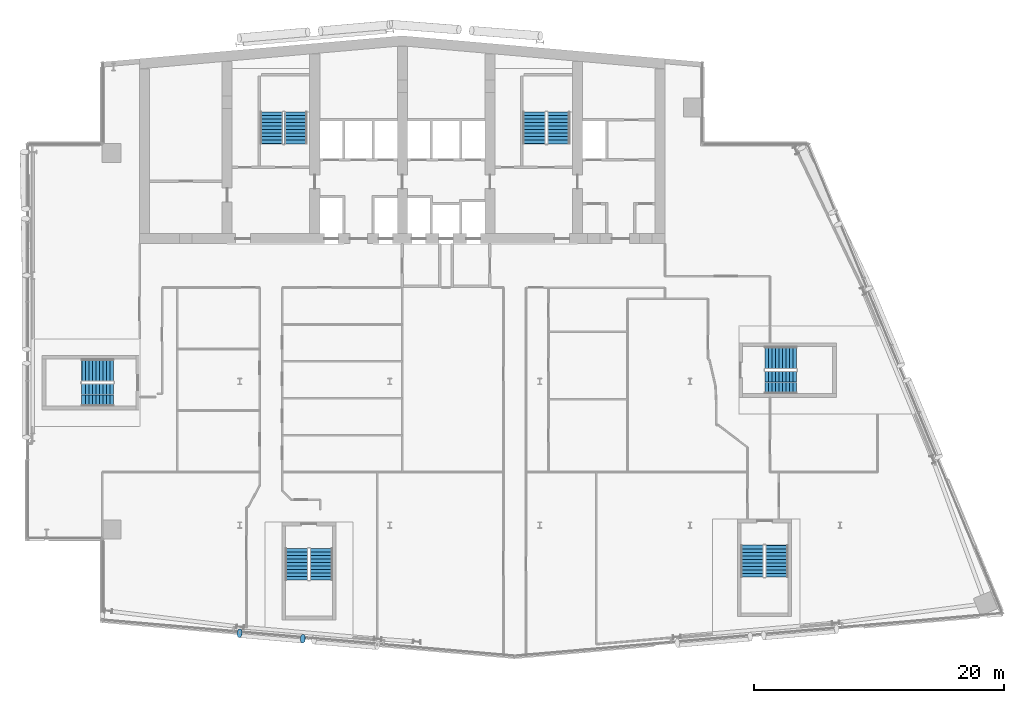
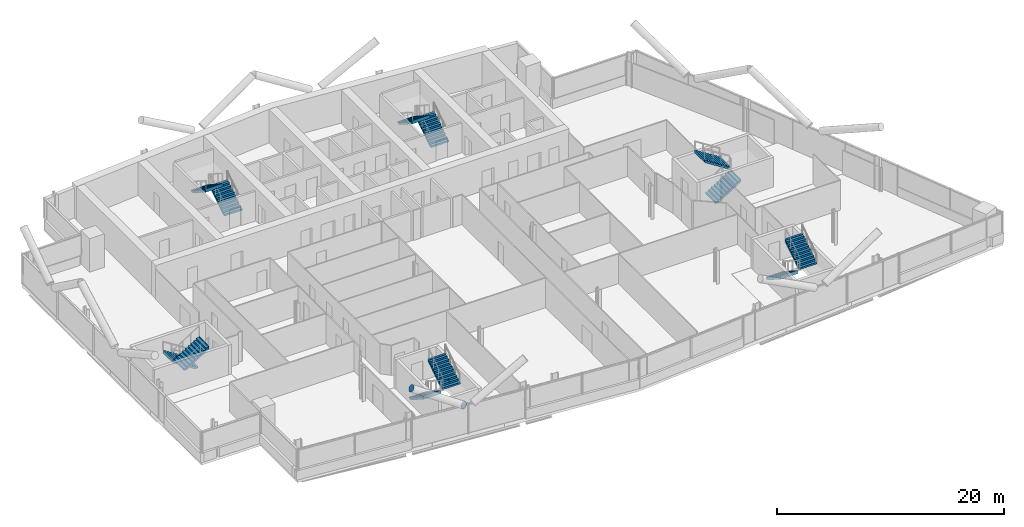
# One storey, part 19 of 26: 12 stair flights, 2 discrete accessories, 6 elements without a shape of their own.
"""IFC4 building model written with IfcOpenShell, lengths in metres."""

from ifc_helpers import new_model, si_unit, direction, frame, origin, origin_2d, place, context, subcontext, project, spatial, polyline, circle, outline, extrude, material, material_profile, profile_set, type_object, element, aggregate, save


model = new_model("IFC4")

# Units and contexts
model_context = context("Model", 3, precision=1e-05, world=origin(), true_north=direction((0.0, 1.0)))
body_context = subcontext(model_context, "Body", "Model", "MODEL_VIEW")
ifc_project = project(units=[si_unit("LENGTHUNIT", "METRE"), si_unit("AREAUNIT", "SQUARE_METRE"), si_unit("VOLUMEUNIT", "CUBIC_METRE"), si_unit("PLANEANGLEUNIT", "RADIAN"), si_unit("MASSUNIT", "GRAM", prefix="KILO")], contexts=[model_context])

# Site, building, storey
site_placement = place(None, origin())
site = spatial("IfcSite", under=ifc_project, at=site_placement, CompositionType="ELEMENT")
building_placement = place(site_placement, origin())
building = spatial("IfcBuilding", under=site, at=building_placement, Name="Wharfspan Tower", CompositionType="ELEMENT")
storey_placement = place(building_placement, frame((0.0, 0.0, 166.300049)))
storey = spatial("IfcBuildingStorey", under=building, at=storey_placement, Name="L40", CompositionType="ELEMENT", Elevation=166.300049)

# Stair, stair flights
ifc_material_1 = material(Name="Concrete C40/50", Category="concrete")
stair_type = type_object("IfcStairType", Name="Half-turn stair 20 risers 180 mm", PredefinedType="HALF_TURN_STAIR", material=ifc_material_1)
stair_1_placement = place(storey_placement, origin())
stair_1 = element("IfcStair", 1, at=stair_1_placement, inside=storey, type_object=stair_type, Name="L40 stair ST1", PredefinedType="HALF_TURN_STAIR")
stair_flight_type = type_object("IfcStairFlightType", Name="Stair flight 20 risers 180 mm", PredefinedType="STRAIGHT", material=ifc_material_1)
stair_flight_1_placement = place(storey_placement, frame((28.5, 42.0, 0.0), z_axis=(0.0, 0.0, 1.0), x_axis=(0.0, 1.0, 0.0)))
stair_flight_1 = element("IfcStairFlight", 2, at=stair_flight_1_placement, type_object=stair_flight_type, Name="ST1 flight 1", NumberOfRisers=10, NumberOfTreads=9, PredefinedType="STRAIGHT", RiserHeight=0.18, TreadLength=0.28, context=body_context, shape_type="SweptSolid", body=[
    extrude(outline(polyline([(-0.011963, 0.0), (-0.011963, 0.179932), (0.0, 0.179932), (0.280029, 0.179932), (0.280029, 0.360107), (0.560059, 0.360107), (0.560059, 0.540039), (0.840088, 0.540039), (0.840088, 0.719971), (1.120117, 0.719971), (1.120117, 0.899902), (1.399902, 0.899902), (1.399902, 1.080078), (1.679932, 1.080078), (1.679932, 1.26001), (1.959961, 1.26001), (1.959961, 1.439941), (2.23999, 1.439941), (2.23999, 1.620117), (2.52002, 1.620117), (2.531982, 1.800049), (2.531982, 1.441895), (0.2771, 0.0), (-0.011963, 0.0)])), frame((0.0, 0.899902, 0.0), z_axis=(0.0, -1.0, 0.0), x_axis=(1.0, 0.0, 0.0)), (0.0, 0.0, 1.0), 0.899414),
    extrude(outline(polyline([(-0.011963, 0.0), (-0.011963, 0.179932), (0.0, 0.179932), (0.280029, 0.179932), (0.280029, 0.360107), (0.560059, 0.360107), (0.560059, 0.540039), (0.840088, 0.540039), (0.840088, 0.719971), (1.120117, 0.719971), (1.120117, 0.899902), (1.399902, 0.899902), (1.399902, 1.080078), (1.679932, 1.080078), (1.679932, 1.26001), (1.959961, 1.26001), (1.959961, 1.439941), (2.23999, 1.439941), (2.23999, 1.620117), (2.52002, 1.620117), (2.531982, 1.800049), (2.531982, 1.441895), (0.2771, 0.0), (-0.011963, 0.0)])), frame((0.0, -0.000488, 0.0), z_axis=(0.0, -1.0, 0.0), x_axis=(1.0, 0.0, 0.0)), (0.0, 0.0, 1.0), 0.899414),
])
stair_flight_2_placement = place(storey_placement, frame((26.550049, 44.52002, 1.800049), z_axis=(0.0, 0.0, 1.0), x_axis=(0.0, -1.0, 0.0)))
stair_flight_2 = element("IfcStairFlight", 3, at=stair_flight_2_placement, type_object=stair_flight_type, Name="ST1 flight 2", NumberOfRisers=10, NumberOfTreads=9, PredefinedType="STRAIGHT", RiserHeight=0.18, TreadLength=0.28, context=body_context, shape_type="SweptSolid", body=[
    extrude(outline(polyline([(-0.011963, 0.0), (-0.011963, 0.179932), (0.0, 0.179932), (0.280029, 0.179932), (0.280029, 0.360107), (0.560059, 0.360107), (0.560059, 0.540039), (0.840088, 0.540039), (0.840088, 0.719971), (1.120117, 0.719971), (1.120117, 0.899902), (1.399902, 0.899902), (1.399902, 1.080078), (1.679932, 1.080078), (1.679932, 1.26001), (1.959961, 1.26001), (1.959961, 1.439941), (2.23999, 1.439941), (2.23999, 1.620117), (2.52002, 1.620117), (2.531982, 1.800049), (2.531982, 1.441895), (0.2771, 0.0), (-0.011963, 0.0)])), frame((0.0, 0.899902, 0.0), z_axis=(0.0, -1.0, 0.0), x_axis=(1.0, 0.0, 0.0)), (0.0, 0.0, 1.0), 0.899414),
    extrude(outline(polyline([(-0.011963, 0.0), (-0.011963, 0.179932), (0.0, 0.179932), (0.280029, 0.179932), (0.280029, 0.360107), (0.560059, 0.360107), (0.560059, 0.540039), (0.840088, 0.540039), (0.840088, 0.719971), (1.120117, 0.719971), (1.120117, 0.899902), (1.399902, 0.899902), (1.399902, 1.080078), (1.679932, 1.080078), (1.679932, 1.26001), (1.959961, 1.26001), (1.959961, 1.439941), (2.23999, 1.439941), (2.23999, 1.620117), (2.52002, 1.620117), (2.531982, 1.800049), (2.531982, 1.441895), (0.2771, 0.0), (-0.011963, 0.0)])), frame((0.0, -0.000488, 0.0), z_axis=(0.0, -1.0, 0.0), x_axis=(1.0, 0.0, 0.0)), (0.0, 0.0, 1.0), 0.899414),
])
aggregate(stair_1, [stair_flight_1, stair_flight_2])

stair_2_placement = place(storey_placement, origin())
stair_2 = element("IfcStair", 4, at=stair_2_placement, inside=storey, type_object=stair_type, Name="L40 stair ST2", PredefinedType="HALF_TURN_STAIR")
stair_flight_3_placement = place(storey_placement, frame((49.5, 42.0, 0.0), z_axis=(0.0, 0.0, 1.0), x_axis=(0.0, 1.0, 0.0)))
stair_flight_3 = element("IfcStairFlight", 5, at=stair_flight_3_placement, type_object=stair_flight_type, Name="ST2 flight 1", NumberOfRisers=10, NumberOfTreads=9, PredefinedType="STRAIGHT", RiserHeight=0.18, TreadLength=0.28, context=body_context, shape_type="SweptSolid", body=[
    extrude(outline(polyline([(-0.011963, 0.0), (-0.011963, 0.179932), (0.0, 0.179932), (0.280029, 0.179932), (0.280029, 0.360107), (0.560059, 0.360107), (0.560059, 0.540039), (0.840088, 0.540039), (0.840088, 0.719971), (1.120117, 0.719971), (1.120117, 0.899902), (1.399902, 0.899902), (1.399902, 1.080078), (1.679932, 1.080078), (1.679932, 1.26001), (1.959961, 1.26001), (1.959961, 1.439941), (2.23999, 1.439941), (2.23999, 1.620117), (2.52002, 1.620117), (2.531982, 1.800049), (2.531982, 1.441895), (0.2771, 0.0), (-0.011963, 0.0)])), frame((0.0, 0.899902, 0.0), z_axis=(0.0, -1.0, 0.0), x_axis=(1.0, 0.0, 0.0)), (0.0, 0.0, 1.0), 0.899414),
    extrude(outline(polyline([(-0.011963, 0.0), (-0.011963, 0.179932), (0.0, 0.179932), (0.280029, 0.179932), (0.280029, 0.360107), (0.560059, 0.360107), (0.560059, 0.540039), (0.840088, 0.540039), (0.840088, 0.719971), (1.120117, 0.719971), (1.120117, 0.899902), (1.399902, 0.899902), (1.399902, 1.080078), (1.679932, 1.080078), (1.679932, 1.26001), (1.959961, 1.26001), (1.959961, 1.439941), (2.23999, 1.439941), (2.23999, 1.620117), (2.52002, 1.620117), (2.531982, 1.800049), (2.531982, 1.441895), (0.2771, 0.0), (-0.011963, 0.0)])), frame((0.0, -0.000488, 0.0), z_axis=(0.0, -1.0, 0.0), x_axis=(1.0, 0.0, 0.0)), (0.0, 0.0, 1.0), 0.899414),
])
stair_flight_4_placement = place(storey_placement, frame((47.550049, 44.52002, 1.800049), z_axis=(0.0, 0.0, 1.0), x_axis=(0.0, -1.0, 0.0)))
stair_flight_4 = element("IfcStairFlight", 6, at=stair_flight_4_placement, type_object=stair_flight_type, Name="ST2 flight 2", NumberOfRisers=10, NumberOfTreads=9, PredefinedType="STRAIGHT", RiserHeight=0.18, TreadLength=0.28, context=body_context, shape_type="SweptSolid", body=[
    extrude(outline(polyline([(-0.011963, 0.0), (-0.011963, 0.179932), (0.0, 0.179932), (0.280029, 0.179932), (0.280029, 0.360107), (0.560059, 0.360107), (0.560059, 0.540039), (0.840088, 0.540039), (0.840088, 0.719971), (1.120117, 0.719971), (1.120117, 0.899902), (1.399902, 0.899902), (1.399902, 1.080078), (1.679932, 1.080078), (1.679932, 1.26001), (1.959961, 1.26001), (1.959961, 1.439941), (2.23999, 1.439941), (2.23999, 1.620117), (2.52002, 1.620117), (2.531982, 1.800049), (2.531982, 1.441895), (0.2771, 0.0), (-0.011963, 0.0)])), frame((0.0, 0.899902, 0.0), z_axis=(0.0, -1.0, 0.0), x_axis=(1.0, 0.0, 0.0)), (0.0, 0.0, 1.0), 0.899414),
    extrude(outline(polyline([(-0.011963, 0.0), (-0.011963, 0.179932), (0.0, 0.179932), (0.280029, 0.179932), (0.280029, 0.360107), (0.560059, 0.360107), (0.560059, 0.540039), (0.840088, 0.540039), (0.840088, 0.719971), (1.120117, 0.719971), (1.120117, 0.899902), (1.399902, 0.899902), (1.399902, 1.080078), (1.679932, 1.080078), (1.679932, 1.26001), (1.959961, 1.26001), (1.959961, 1.439941), (2.23999, 1.439941), (2.23999, 1.620117), (2.52002, 1.620117), (2.531982, 1.800049), (2.531982, 1.441895), (0.2771, 0.0), (-0.011963, 0.0)])), frame((0.0, -0.000488, 0.0), z_axis=(0.0, -1.0, 0.0), x_axis=(1.0, 0.0, 0.0)), (0.0, 0.0, 1.0), 0.899414),
])
aggregate(stair_2, [stair_flight_3, stair_flight_4])

stair_3_placement = place(storey_placement, origin())
stair_3 = element("IfcStair", 7, at=stair_3_placement, inside=storey, type_object=stair_type, Name="L40 stair ST3", PredefinedType="HALF_TURN_STAIR")
stair_flight_5_placement = place(storey_placement, frame((13.899902, 23.875, 0.0), z_axis=(0.0, 0.0, 1.0), x_axis=(-1.0, 0.0, 0.0)))
stair_flight_5 = element("IfcStairFlight", 8, at=stair_flight_5_placement, type_object=stair_flight_type, Name="ST3 flight 1", NumberOfRisers=10, NumberOfTreads=9, PredefinedType="STRAIGHT", RiserHeight=0.18, TreadLength=0.28, context=body_context, shape_type="SweptSolid", body=[
    extrude(outline(polyline([(-0.011963, 0.0), (-0.011963, 0.179932), (0.0, 0.179932), (0.280029, 0.179932), (0.280029, 0.360107), (0.560059, 0.360107), (0.560059, 0.540039), (0.840088, 0.540039), (0.840088, 0.719971), (1.120117, 0.719971), (1.120117, 0.899902), (1.399902, 0.899902), (1.399902, 1.080078), (1.679932, 1.080078), (1.679932, 1.26001), (1.959961, 1.26001), (1.959961, 1.439941), (2.23999, 1.439941), (2.23999, 1.620117), (2.52002, 1.620117), (2.531982, 1.800049), (2.531982, 1.441895), (0.2771, 0.0), (-0.011963, 0.0)])), frame((0.0, 0.899902, 0.0), z_axis=(0.0, -1.0, 0.0), x_axis=(1.0, 0.0, 0.0)), (0.0, 0.0, 1.0), 0.899414),
    extrude(outline(polyline([(-0.011963, 0.0), (-0.011963, 0.179932), (0.0, 0.179932), (0.280029, 0.179932), (0.280029, 0.360107), (0.560059, 0.360107), (0.560059, 0.540039), (0.840088, 0.540039), (0.840088, 0.719971), (1.120117, 0.719971), (1.120117, 0.899902), (1.399902, 0.899902), (1.399902, 1.080078), (1.679932, 1.080078), (1.679932, 1.26001), (1.959961, 1.26001), (1.959961, 1.439941), (2.23999, 1.439941), (2.23999, 1.620117), (2.52002, 1.620117), (2.531982, 1.800049), (2.531982, 1.441895), (0.2771, 0.0), (-0.011963, 0.0)])), frame((0.0, -0.000488, 0.0), z_axis=(0.0, -1.0, 0.0), x_axis=(1.0, 0.0, 0.0)), (0.0, 0.0, 1.0), 0.899414),
])
stair_flight_6_placement = place(storey_placement, frame((11.379883, 21.925049, 1.800049), z_axis=(0.0, 0.0, 1.0), x_axis=(1.0, 0.0, 0.0)))
stair_flight_6 = element("IfcStairFlight", 9, at=stair_flight_6_placement, type_object=stair_flight_type, Name="ST3 flight 2", NumberOfRisers=10, NumberOfTreads=9, PredefinedType="STRAIGHT", RiserHeight=0.18, TreadLength=0.28, context=body_context, shape_type="SweptSolid", body=[
    extrude(outline(polyline([(-0.011963, 0.0), (-0.011963, 0.179932), (0.0, 0.179932), (0.280029, 0.179932), (0.280029, 0.360107), (0.560059, 0.360107), (0.560059, 0.540039), (0.840088, 0.540039), (0.840088, 0.719971), (1.120117, 0.719971), (1.120117, 0.899902), (1.399902, 0.899902), (1.399902, 1.080078), (1.679932, 1.080078), (1.679932, 1.26001), (1.959961, 1.26001), (1.959961, 1.439941), (2.23999, 1.439941), (2.23999, 1.620117), (2.52002, 1.620117), (2.531982, 1.800049), (2.531982, 1.441895), (0.2771, 0.0), (-0.011963, 0.0)])), frame((0.0, 0.899902, 0.0), z_axis=(0.0, -1.0, 0.0), x_axis=(1.0, 0.0, 0.0)), (0.0, 0.0, 1.0), 0.899414),
    extrude(outline(polyline([(-0.011963, 0.0), (-0.011963, 0.179932), (0.0, 0.179932), (0.280029, 0.179932), (0.280029, 0.360107), (0.560059, 0.360107), (0.560059, 0.540039), (0.840088, 0.540039), (0.840088, 0.719971), (1.120117, 0.719971), (1.120117, 0.899902), (1.399902, 0.899902), (1.399902, 1.080078), (1.679932, 1.080078), (1.679932, 1.26001), (1.959961, 1.26001), (1.959961, 1.439941), (2.23999, 1.439941), (2.23999, 1.620117), (2.52002, 1.620117), (2.531982, 1.800049), (2.531982, 1.441895), (0.2771, 0.0), (-0.011963, 0.0)])), frame((0.0, -0.000488, 0.0), z_axis=(0.0, -1.0, 0.0), x_axis=(1.0, 0.0, 0.0)), (0.0, 0.0, 1.0), 0.899414),
])
aggregate(stair_3, [stair_flight_5, stair_flight_6])

stair_4_placement = place(storey_placement, origin())
stair_4 = element("IfcStair", 10, at=stair_4_placement, inside=storey, type_object=stair_type, Name="L40 stair ST4", PredefinedType="HALF_TURN_STAIR")
stair_flight_7_placement = place(storey_placement, frame((28.564209, 9.634277, 0.0), z_axis=(0.0, 0.0, 1.0), x_axis=(0.0, -1.0, 0.0)))
stair_flight_7 = element("IfcStairFlight", 11, at=stair_flight_7_placement, type_object=stair_flight_type, Name="ST4 flight 1", NumberOfRisers=10, NumberOfTreads=9, PredefinedType="STRAIGHT", RiserHeight=0.18, TreadLength=0.28, context=body_context, shape_type="SweptSolid", body=[
    extrude(outline(polyline([(-0.011963, 0.0), (-0.011963, 0.179932), (0.0, 0.179932), (0.280029, 0.179932), (0.280029, 0.360107), (0.560059, 0.360107), (0.560059, 0.540039), (0.840088, 0.540039), (0.840088, 0.719971), (1.120117, 0.719971), (1.120117, 0.899902), (1.399902, 0.899902), (1.399902, 1.080078), (1.679932, 1.080078), (1.679932, 1.26001), (1.959961, 1.26001), (1.959961, 1.439941), (2.23999, 1.439941), (2.23999, 1.620117), (2.52002, 1.620117), (2.531982, 1.800049), (2.531982, 1.441895), (0.2771, 0.0), (-0.011963, 0.0)])), frame((0.0, 0.899902, 0.0), z_axis=(0.0, -1.0, 0.0), x_axis=(1.0, 0.0, 0.0)), (0.0, 0.0, 1.0), 0.899414),
    extrude(outline(polyline([(-0.011963, 0.0), (-0.011963, 0.179932), (0.0, 0.179932), (0.280029, 0.179932), (0.280029, 0.360107), (0.560059, 0.360107), (0.560059, 0.540039), (0.840088, 0.540039), (0.840088, 0.719971), (1.120117, 0.719971), (1.120117, 0.899902), (1.399902, 0.899902), (1.399902, 1.080078), (1.679932, 1.080078), (1.679932, 1.26001), (1.959961, 1.26001), (1.959961, 1.439941), (2.23999, 1.439941), (2.23999, 1.620117), (2.52002, 1.620117), (2.531982, 1.800049), (2.531982, 1.441895), (0.2771, 0.0), (-0.011963, 0.0)])), frame((0.0, -0.000488, 0.0), z_axis=(0.0, -1.0, 0.0), x_axis=(1.0, 0.0, 0.0)), (0.0, 0.0, 1.0), 0.899414),
])
stair_flight_8_placement = place(storey_placement, frame((30.51416, 7.114258, 1.800049), z_axis=(0.0, 0.0, 1.0), x_axis=(0.0, 1.0, 0.0)))
stair_flight_8 = element("IfcStairFlight", 12, at=stair_flight_8_placement, type_object=stair_flight_type, Name="ST4 flight 2", NumberOfRisers=10, NumberOfTreads=9, PredefinedType="STRAIGHT", RiserHeight=0.18, TreadLength=0.28, context=body_context, shape_type="SweptSolid", body=[
    extrude(outline(polyline([(-0.011963, 0.0), (-0.011963, 0.179932), (0.0, 0.179932), (0.280029, 0.179932), (0.280029, 0.360107), (0.560059, 0.360107), (0.560059, 0.540039), (0.840088, 0.540039), (0.840088, 0.719971), (1.120117, 0.719971), (1.120117, 0.899902), (1.399902, 0.899902), (1.399902, 1.080078), (1.679932, 1.080078), (1.679932, 1.26001), (1.959961, 1.26001), (1.959961, 1.439941), (2.23999, 1.439941), (2.23999, 1.620117), (2.52002, 1.620117), (2.531982, 1.800049), (2.531982, 1.441895), (0.2771, 0.0), (-0.011963, 0.0)])), frame((0.0, 0.899902, 0.0), z_axis=(0.0, -1.0, 0.0), x_axis=(1.0, 0.0, 0.0)), (0.0, 0.0, 1.0), 0.899414),
    extrude(outline(polyline([(-0.011963, 0.0), (-0.011963, 0.179932), (0.0, 0.179932), (0.280029, 0.179932), (0.280029, 0.360107), (0.560059, 0.360107), (0.560059, 0.540039), (0.840088, 0.540039), (0.840088, 0.719971), (1.120117, 0.719971), (1.120117, 0.899902), (1.399902, 0.899902), (1.399902, 1.080078), (1.679932, 1.080078), (1.679932, 1.26001), (1.959961, 1.26001), (1.959961, 1.439941), (2.23999, 1.439941), (2.23999, 1.620117), (2.52002, 1.620117), (2.531982, 1.800049), (2.531982, 1.441895), (0.2771, 0.0), (-0.011963, 0.0)])), frame((0.0, -0.000488, 0.0), z_axis=(0.0, -1.0, 0.0), x_axis=(1.0, 0.0, 0.0)), (0.0, 0.0, 1.0), 0.899414),
])
aggregate(stair_4, [stair_flight_7, stair_flight_8])

stair_5_placement = place(storey_placement, origin())
stair_5 = element("IfcStair", 13, at=stair_5_placement, inside=storey, type_object=stair_type, Name="L40 stair ST5", PredefinedType="HALF_TURN_STAIR")
stair_flight_9_placement = place(storey_placement, frame((64.986328, 9.883789, 0.0), z_axis=(0.0, 0.0, 1.0), x_axis=(0.0, -1.0, 0.0)))
stair_flight_9 = element("IfcStairFlight", 14, at=stair_flight_9_placement, type_object=stair_flight_type, Name="ST5 flight 1", NumberOfRisers=10, NumberOfTreads=9, PredefinedType="STRAIGHT", RiserHeight=0.18, TreadLength=0.28, context=body_context, shape_type="SweptSolid", body=[
    extrude(outline(polyline([(-0.011963, 0.0), (-0.011963, 0.179932), (0.0, 0.179932), (0.280029, 0.179932), (0.280029, 0.360107), (0.560059, 0.360107), (0.560059, 0.540039), (0.840088, 0.540039), (0.840088, 0.719971), (1.120117, 0.719971), (1.120117, 0.899902), (1.399902, 0.899902), (1.399902, 1.080078), (1.679932, 1.080078), (1.679932, 1.26001), (1.959961, 1.26001), (1.959961, 1.439941), (2.23999, 1.439941), (2.23999, 1.620117), (2.52002, 1.620117), (2.531982, 1.800049), (2.531982, 1.441895), (0.2771, 0.0), (-0.011963, 0.0)])), frame((0.0, 0.899902, 0.0), z_axis=(0.0, -1.0, 0.0), x_axis=(1.0, 0.0, 0.0)), (0.0, 0.0, 1.0), 0.899414),
    extrude(outline(polyline([(-0.011963, 0.0), (-0.011963, 0.179932), (0.0, 0.179932), (0.280029, 0.179932), (0.280029, 0.360107), (0.560059, 0.360107), (0.560059, 0.540039), (0.840088, 0.540039), (0.840088, 0.719971), (1.120117, 0.719971), (1.120117, 0.899902), (1.399902, 0.899902), (1.399902, 1.080078), (1.679932, 1.080078), (1.679932, 1.26001), (1.959961, 1.26001), (1.959961, 1.439941), (2.23999, 1.439941), (2.23999, 1.620117), (2.52002, 1.620117), (2.531982, 1.800049), (2.531982, 1.441895), (0.2771, 0.0), (-0.011963, 0.0)])), frame((0.0, -0.000488, 0.0), z_axis=(0.0, -1.0, 0.0), x_axis=(1.0, 0.0, 0.0)), (0.0, 0.0, 1.0), 0.899414),
])
stair_flight_10_placement = place(storey_placement, frame((66.936279, 7.36377, 1.800049), z_axis=(0.0, 0.0, 1.0), x_axis=(0.0, 1.0, 0.0)))
stair_flight_10 = element("IfcStairFlight", 15, at=stair_flight_10_placement, type_object=stair_flight_type, Name="ST5 flight 2", NumberOfRisers=10, NumberOfTreads=9, PredefinedType="STRAIGHT", RiserHeight=0.18, TreadLength=0.28, context=body_context, shape_type="SweptSolid", body=[
    extrude(outline(polyline([(-0.011963, 0.0), (-0.011963, 0.179932), (0.0, 0.179932), (0.280029, 0.179932), (0.280029, 0.360107), (0.560059, 0.360107), (0.560059, 0.540039), (0.840088, 0.540039), (0.840088, 0.719971), (1.120117, 0.719971), (1.120117, 0.899902), (1.399902, 0.899902), (1.399902, 1.080078), (1.679932, 1.080078), (1.679932, 1.26001), (1.959961, 1.26001), (1.959961, 1.439941), (2.23999, 1.439941), (2.23999, 1.620117), (2.52002, 1.620117), (2.531982, 1.800049), (2.531982, 1.441895), (0.2771, 0.0), (-0.011963, 0.0)])), frame((0.0, 0.899902, 0.0), z_axis=(0.0, -1.0, 0.0), x_axis=(1.0, 0.0, 0.0)), (0.0, 0.0, 1.0), 0.899414),
    extrude(outline(polyline([(-0.011963, 0.0), (-0.011963, 0.179932), (0.0, 0.179932), (0.280029, 0.179932), (0.280029, 0.360107), (0.560059, 0.360107), (0.560059, 0.540039), (0.840088, 0.540039), (0.840088, 0.719971), (1.120117, 0.719971), (1.120117, 0.899902), (1.399902, 0.899902), (1.399902, 1.080078), (1.679932, 1.080078), (1.679932, 1.26001), (1.959961, 1.26001), (1.959961, 1.439941), (2.23999, 1.439941), (2.23999, 1.620117), (2.52002, 1.620117), (2.531982, 1.800049), (2.531982, 1.441895), (0.2771, 0.0), (-0.011963, 0.0)])), frame((0.0, -0.000488, 0.0), z_axis=(0.0, -1.0, 0.0), x_axis=(1.0, 0.0, 0.0)), (0.0, 0.0, 1.0), 0.899414),
])
aggregate(stair_5, [stair_flight_9, stair_flight_10])

stair_6_placement = place(storey_placement, origin())
stair_6 = element("IfcStair", 16, at=stair_6_placement, inside=storey, type_object=stair_type, Name="L40 stair ST6", PredefinedType="HALF_TURN_STAIR")
stair_flight_11_placement = place(storey_placement, frame((66.004639, 22.925049, 0.0), z_axis=(0.0, 0.0, 1.0), x_axis=(1.0, 0.0, 0.0)))
stair_flight_11 = element("IfcStairFlight", 17, at=stair_flight_11_placement, type_object=stair_flight_type, Name="ST6 flight 1", NumberOfRisers=10, NumberOfTreads=9, PredefinedType="STRAIGHT", RiserHeight=0.18, TreadLength=0.28, context=body_context, shape_type="SweptSolid", body=[
    extrude(outline(polyline([(-0.011963, 0.0), (-0.011963, 0.179932), (0.0, 0.179932), (0.280029, 0.179932), (0.280029, 0.360107), (0.560059, 0.360107), (0.560059, 0.540039), (0.840088, 0.540039), (0.840088, 0.719971), (1.120117, 0.719971), (1.120117, 0.899902), (1.399902, 0.899902), (1.399902, 1.080078), (1.679932, 1.080078), (1.679932, 1.26001), (1.959961, 1.26001), (1.959961, 1.439941), (2.23999, 1.439941), (2.23999, 1.620117), (2.52002, 1.620117), (2.531982, 1.800049), (2.531982, 1.441895), (0.2771, 0.0), (-0.011963, 0.0)])), frame((0.0, 0.899902, 0.0), z_axis=(0.0, -1.0, 0.0), x_axis=(1.0, 0.0, 0.0)), (0.0, 0.0, 1.0), 0.899414),
    extrude(outline(polyline([(-0.011963, 0.0), (-0.011963, 0.179932), (0.0, 0.179932), (0.280029, 0.179932), (0.280029, 0.360107), (0.560059, 0.360107), (0.560059, 0.540039), (0.840088, 0.540039), (0.840088, 0.719971), (1.120117, 0.719971), (1.120117, 0.899902), (1.399902, 0.899902), (1.399902, 1.080078), (1.679932, 1.080078), (1.679932, 1.26001), (1.959961, 1.26001), (1.959961, 1.439941), (2.23999, 1.439941), (2.23999, 1.620117), (2.52002, 1.620117), (2.531982, 1.800049), (2.531982, 1.441895), (0.2771, 0.0), (-0.011963, 0.0)])), frame((0.0, -0.000488, 0.0), z_axis=(0.0, -1.0, 0.0), x_axis=(1.0, 0.0, 0.0)), (0.0, 0.0, 1.0), 0.899414),
])
stair_flight_12_placement = place(storey_placement, frame((68.524658, 24.875, 1.800049), z_axis=(0.0, 0.0, 1.0), x_axis=(-1.0, 0.0, 0.0)))
stair_flight_12 = element("IfcStairFlight", 18, at=stair_flight_12_placement, type_object=stair_flight_type, Name="ST6 flight 2", NumberOfRisers=10, NumberOfTreads=9, PredefinedType="STRAIGHT", RiserHeight=0.18, TreadLength=0.28, context=body_context, shape_type="SweptSolid", body=[
    extrude(outline(polyline([(-0.011963, 0.0), (-0.011963, 0.179932), (0.0, 0.179932), (0.280029, 0.179932), (0.280029, 0.360107), (0.560059, 0.360107), (0.560059, 0.540039), (0.840088, 0.540039), (0.840088, 0.719971), (1.120117, 0.719971), (1.120117, 0.899902), (1.399902, 0.899902), (1.399902, 1.080078), (1.679932, 1.080078), (1.679932, 1.26001), (1.959961, 1.26001), (1.959961, 1.439941), (2.23999, 1.439941), (2.23999, 1.620117), (2.52002, 1.620117), (2.531982, 1.800049), (2.531982, 1.441895), (0.2771, 0.0), (-0.011963, 0.0)])), frame((0.0, 0.899902, 0.0), z_axis=(0.0, -1.0, 0.0), x_axis=(1.0, 0.0, 0.0)), (0.0, 0.0, 1.0), 0.899414),
    extrude(outline(polyline([(-0.011963, 0.0), (-0.011963, 0.179932), (0.0, 0.179932), (0.280029, 0.179932), (0.280029, 0.360107), (0.560059, 0.360107), (0.560059, 0.540039), (0.840088, 0.540039), (0.840088, 0.719971), (1.120117, 0.719971), (1.120117, 0.899902), (1.399902, 0.899902), (1.399902, 1.080078), (1.679932, 1.080078), (1.679932, 1.26001), (1.959961, 1.26001), (1.959961, 1.439941), (2.23999, 1.439941), (2.23999, 1.620117), (2.52002, 1.620117), (2.531982, 1.800049), (2.531982, 1.441895), (0.2771, 0.0), (-0.011963, 0.0)])), frame((0.0, -0.000488, 0.0), z_axis=(0.0, -1.0, 0.0), x_axis=(1.0, 0.0, 0.0)), (0.0, 0.0, 1.0), 0.899414),
])
aggregate(stair_6, [stair_flight_11, stair_flight_12])

# Discrete accessories
ifc_material_2 = material(Name="Steel S460NH", Category="steel")
ifc_material_profile = material_profile(ifc_material_2, circle(Radius=0.355469, at=origin_2d()))
ifc_profile_set = profile_set([ifc_material_profile], Name="Steel S460NH")
discrete_accessory_type = type_object("IfcDiscreteAccessoryType", Name="End plate CHS 711x36", PredefinedType="BRACKET", material=ifc_profile_set)
discrete_accessory_1_placement = place(storey_placement, frame((29.051758, 2.415527, 3.190186), z_axis=(-0.83357, 0.071449, 0.547774), x_axis=(-0.085401, -0.996343, 0.0)))
element("IfcDiscreteAccessory", 19, at=discrete_accessory_1_placement, inside=storey, type_object=discrete_accessory_type, Name="End plate CHS 711x36", PredefinedType="BRACKET", context=body_context, shape_type="SweptSolid", body=[
    extrude(circle(Radius=0.355469, at=origin_2d()), origin(), (0.0, 0.0, 1.0), 0.010254),
])
discrete_accessory_2_placement = place(storey_placement, frame((23.995117, 2.85791, 6.5), z_axis=(-0.837276, 0.073877, 0.541767), x_axis=(-0.087893, -0.996132, 1e-06)))
element("IfcDiscreteAccessory", 20, at=discrete_accessory_2_placement, inside=storey, type_object=discrete_accessory_type, Name="End plate CHS 711x36", PredefinedType="BRACKET", context=body_context, shape_type="SweptSolid", body=[
    extrude(circle(Radius=0.355469, at=origin_2d()), origin(), (0.0, 0.0, 1.0), 0.01001),
])

save(model, "model.ifc")
